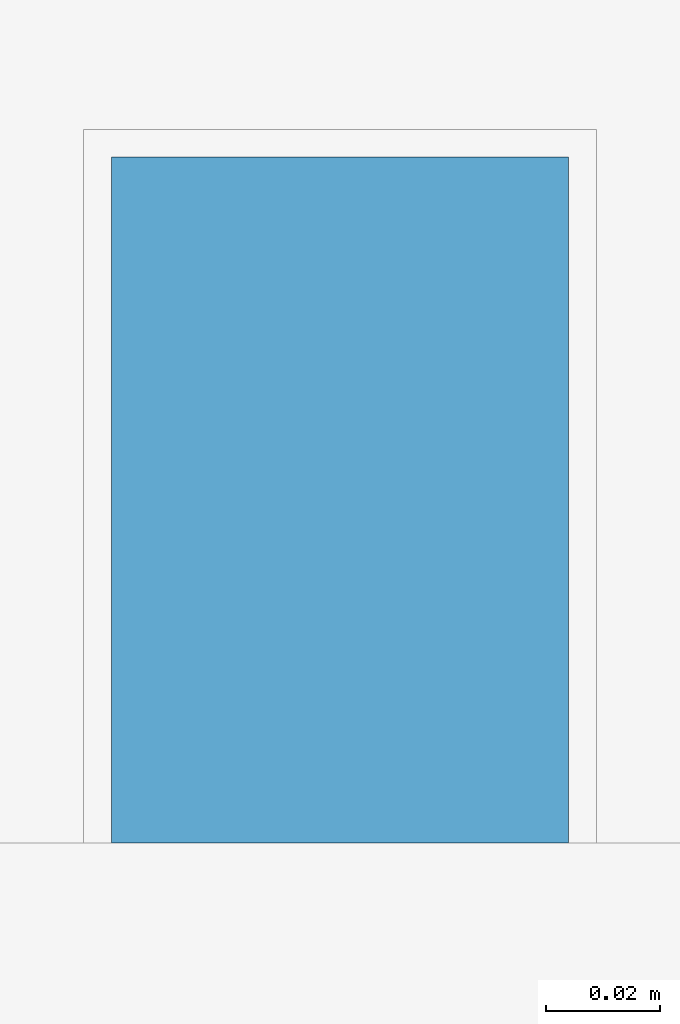
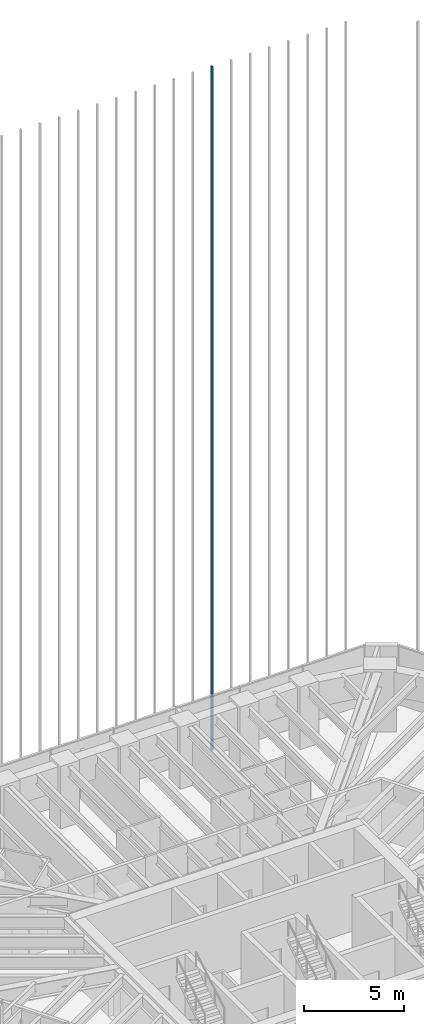
# One storey, part 97 of 127: 1 member, 1 element without a shape of its own.
"""IFC4 building model written with IfcOpenShell, lengths in metres."""

from ifc_helpers import new_model, si_unit, direction, frame, origin, origin_2d, place, context, subcontext, project, spatial, rectangle, extrude, material, material_profile, profile_set, type_object, element, aggregate, save


model = new_model("IFC4")

# Units and contexts
model_context = context("Model", 3, precision=1e-05, world=origin(), true_north=direction((0.0, 1.0)))
body_context = subcontext(model_context, "Body", "Model", "MODEL_VIEW")
ifc_project = project(units=[si_unit("LENGTHUNIT", "METRE"), si_unit("AREAUNIT", "SQUARE_METRE"), si_unit("VOLUMEUNIT", "CUBIC_METRE"), si_unit("PLANEANGLEUNIT", "RADIAN"), si_unit("MASSUNIT", "GRAM", prefix="KILO")], contexts=[model_context])

# Site, building, storey
site_placement = place(None, origin())
site = spatial("IfcSite", under=ifc_project, at=site_placement, CompositionType="ELEMENT")
building_placement = place(site_placement, origin())
building = spatial("IfcBuilding", under=site, at=building_placement, Name="Sandreach Pilgrim Tower", CompositionType="ELEMENT")
storey_placement = place(building_placement, frame((0.0, 0.0, 257.0)))
storey = spatial("IfcBuildingStorey", under=building, at=storey_placement, Name="L64", CompositionType="ELEMENT", Elevation=257.0)

# Curtain wall, member
ifc_material_1 = material(Name="Aluminium framed curtain wall", Category="aluminium")
curtain_wall_type = type_object("IfcCurtainWallType", Name="Suite tower curtain wall", PredefinedType="NOTDEFINED", material=ifc_material_1)
curtain_wall_placement = place(storey_placement, origin())
curtain_wall = element("IfcCurtainWall", 1, at=curtain_wall_placement, inside=storey, type_object=curtain_wall_type, Name="CW-4 L64 N", PredefinedType="NOTDEFINED")
ifc_material_2 = material(Name="Extruded terracotta on aluminium core", Category="masonry")
ifc_material_profile = material_profile(ifc_material_2, rectangle(XDim=0.080078125, YDim=0.1201171875, at=origin_2d()), Name="TBN 80X120")
ifc_profile_set = profile_set([ifc_material_profile], Name="Extruded terracotta on aluminium core")
member_type = type_object("IfcMemberType", Name="Terracotta baguette north", PredefinedType="USERDEFINED", material=ifc_profile_set)
member_placement = place(storey_placement, frame((7.702880859375, 20.1865234375, 0.0), z_axis=(0.0, 0.0, 1.0), x_axis=(1.0, 0.0, 0.0)))
member = element("IfcMember", 2, at=member_placement, type_object=member_type, Name="Baguette Z4 N22", ObjectType="BAGUETTE", PredefinedType="USERDEFINED", context=body_context, shape_type="SweptSolid", body=[
    extrude(rectangle(XDim=0.080078125, YDim=0.1201171875, at=origin_2d()), origin(), (0.0, 0.0, 1.0), 41.639892578125),
])
aggregate(curtain_wall, [member])

save(model, "model.ifc")
